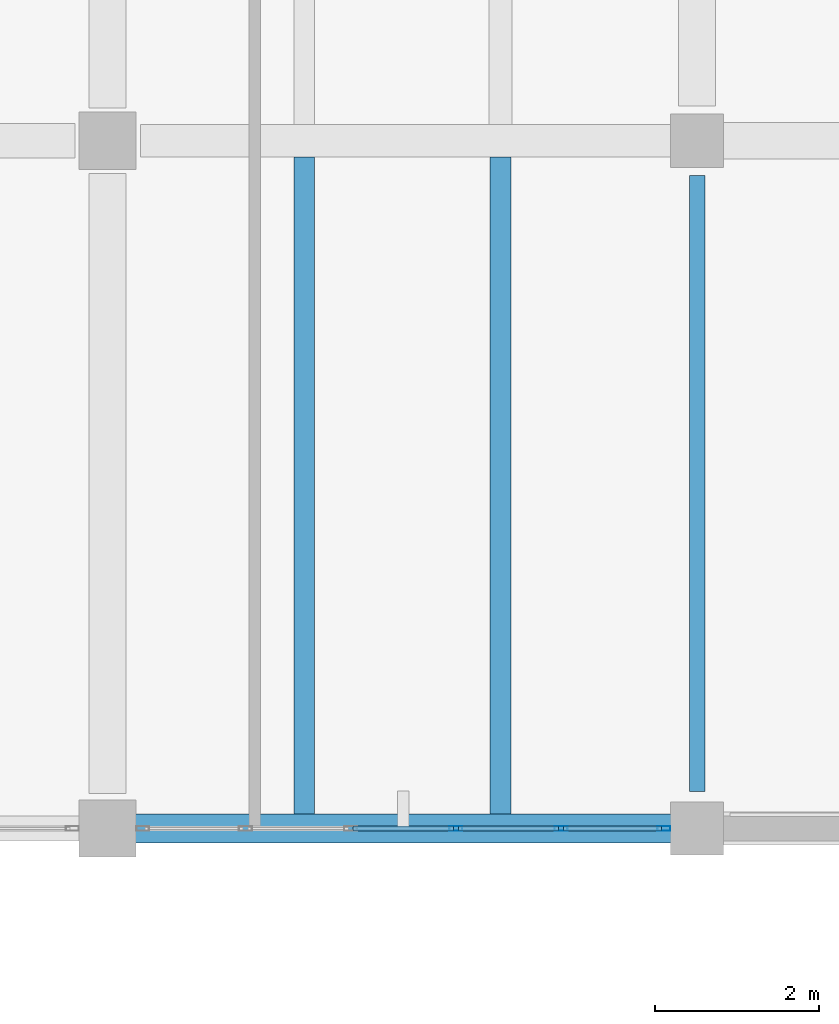
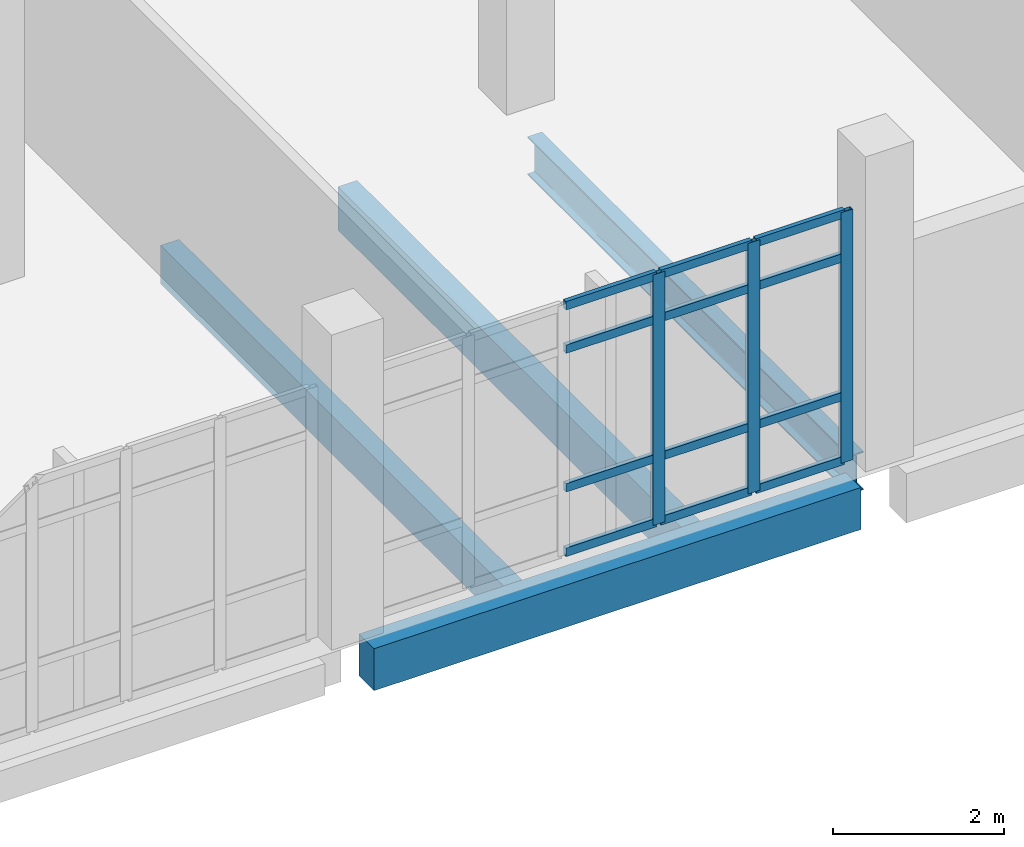
# One storey, part 70 of 116: 15 members, 4 beams, 1 element without a shape of its own.
"""IFC4 building model written with IfcOpenShell, lengths in metres."""

from ifc_helpers import new_model, si_unit, direction, frame, origin, origin_2d, place, context, subcontext, project, spatial, rectangle, hollow_rectangle, i_section, extrude, material, material_profile, profile_set, type_object, element, aggregate, save


model = new_model("IFC4")

# Units and contexts
model_context = context("Model", 3, precision=1e-05, world=origin(), true_north=direction((0.0, 1.0)))
body_context = subcontext(model_context, "Body", "Model", "MODEL_VIEW")
ifc_project = project(units=[si_unit("LENGTHUNIT", "METRE"), si_unit("AREAUNIT", "SQUARE_METRE"), si_unit("VOLUMEUNIT", "CUBIC_METRE"), si_unit("PLANEANGLEUNIT", "RADIAN"), si_unit("MASSUNIT", "GRAM", prefix="KILO")], contexts=[model_context])

# Site, building, storey
site_placement = place(None, origin())
site = spatial("IfcSite", under=ifc_project, at=site_placement, CompositionType="ELEMENT")
building_placement = place(site_placement, origin())
building = spatial("IfcBuilding", under=site, at=building_placement, Name="Kalluvel Institute of Natural Sciences", CompositionType="ELEMENT")
storey_placement = place(building_placement, frame((0.0, 0.0, 14.39990234375)))
storey = spatial("IfcBuildingStorey", under=building, at=storey_placement, Name="L03", CompositionType="ELEMENT", Elevation=14.39990234375)

# Beam
ifc_material_1 = material(Name="Steel E350 Grade 350", Category="steel")
ifc_material_profile_1 = material_profile(ifc_material_1, i_section(OverallWidth=0.18994140625, OverallDepth=0.550048828125, WebThickness=0.01123046875, FlangeThickness=0.019287109375, FilletRadius=0.01806640625, at=origin_2d()), Name="ISMB 550")
ifc_profile_set_1 = profile_set([ifc_material_profile_1], Name="Steel E350 Grade 350")
beam_type_1 = type_object("IfcBeamType", Name="BM-ISMB550", PredefinedType="BEAM", material=ifc_profile_set_1)
beam_1_placement = place(storey_placement, frame((100.39990234375, 103.25, -0.594970703125), z_axis=(0.0, 1.0, 0.0), x_axis=(-1.0, 0.0, 0.0)))
element("IfcBeam", 1, at=beam_1_placement, inside=storey, type_object=beam_type_1, Name="L03 girder GIR-L03-NS-X1004-Y1028", PredefinedType="BEAM", context=body_context, shape_type="SweptSolid", body=[
    extrude(i_section(OverallWidth=0.18994140625, OverallDepth=0.550048828125, WebThickness=0.01123046875, FlangeThickness=0.019287109375, FilletRadius=0.01806640625, at=origin_2d()), origin(), (0.0, 0.0, 1.0), 7.52490234375),
])

# Curtain wall, members
ifc_material_2 = material(Name="Aluminium AW-6063 T6", Category="aluminium")
curtain_wall_type = type_object("IfcCurtainWallType", Name="CW-WET-45", PredefinedType="USERDEFINED", material=ifc_material_2)
curtain_wall_placement = place(storey_placement, origin())
curtain_wall = element("IfcCurtainWall", 2, at=curtain_wall_placement, inside=storey, type_object=curtain_wall_type, Name="L03 Gothic lancet curtain wall CWA-L03-X936-Y1028", ObjectType="UNITISED LANCET FACADE", PredefinedType="USERDEFINED")
ifc_material_profile_2 = material_profile(ifc_material_2, hollow_rectangle(XDim=0.06005859375, YDim=0.159912109375, WallThickness=0.00390625, at=origin_2d()), Name="CWM 60x160")
ifc_profile_set_2 = profile_set([ifc_material_profile_2], Name="Aluminium AW-6063 T6")
member_type_1 = type_object("IfcMemberType", Name="CWM-60x160", PredefinedType="MULLION", material=ifc_profile_set_2)
member_1_placement = place(storey_placement, frame((97.455078125, 102.800048828125, 0.0), z_axis=(0.0, 0.0, 1.0), x_axis=(0.0, 1.0, 0.0)))
member_1 = element("IfcMember", 3, at=member_1_placement, type_object=member_type_1, Name="CW-01 mullion 4", PredefinedType="MULLION", context=body_context, shape_type="SweptSolid", body=[
    extrude(hollow_rectangle(XDim=0.06005859375, YDim=0.159912109375, WallThickness=0.00390625, at=origin_2d()), origin(), (0.0, 0.0, 1.0), 3.580078125),
])
member_2_placement = place(storey_placement, frame((98.739990234375, 102.800048828125, 0.0), z_axis=(0.0, 0.0, 1.0), x_axis=(0.0, 1.0, 0.0)))
member_2 = element("IfcMember", 4, at=member_2_placement, type_object=member_type_1, Name="CW-01 mullion 5", PredefinedType="MULLION", context=body_context, shape_type="SweptSolid", body=[
    extrude(hollow_rectangle(XDim=0.06005859375, YDim=0.159912109375, WallThickness=0.00390625, at=origin_2d()), origin(), (0.0, 0.0, 1.0), 3.580078125),
])
member_3_placement = place(storey_placement, frame((99.9951171875, 102.800048828125, 0.0), z_axis=(0.0, 0.0, 1.0), x_axis=(0.0, 1.0, 0.0)))
member_3 = element("IfcMember", 5, at=member_3_placement, type_object=member_type_1, Name="CW-01 mullion 6", PredefinedType="MULLION", context=body_context, shape_type="SweptSolid", body=[
    extrude(hollow_rectangle(XDim=0.06005859375, YDim=0.159912109375, WallThickness=0.00390625, at=origin_2d()), origin(), (0.0, 0.0, 1.0), 3.580078125),
])
ifc_material_profile_3 = material_profile(ifc_material_2, hollow_rectangle(XDim=0.06005859375, YDim=0.1201171875, WallThickness=0.00390625, at=origin_2d()), Name="CWT 60x120")
ifc_profile_set_3 = profile_set([ifc_material_profile_3], Name="Aluminium AW-6063 T6")
member_type_2 = type_object("IfcMemberType", Name="CWT-60x120", PredefinedType="USERDEFINED", material=ifc_profile_set_3)
member_4_placement = place(storey_placement, frame((96.199951171875, 102.800048828125, 0.030029296875), z_axis=(1.0, 0.0, 0.0), x_axis=(0.0, 1.0, 0.0)))
member_4 = element("IfcMember", 6, at=member_4_placement, type_object=member_type_2, Name="CW-01 transom 3.1", ObjectType="TRANSOM", PredefinedType="USERDEFINED", context=body_context, shape_type="SweptSolid", body=[
    extrude(hollow_rectangle(XDim=0.06005859375, YDim=0.1201171875, WallThickness=0.00390625, at=origin_2d()), origin(), (0.0, 0.0, 1.0), 1.22509765625),
])
member_5_placement = place(storey_placement, frame((96.199951171875, 102.800048828125, 0.9501953125), z_axis=(1.0, 0.0, 0.0), x_axis=(0.0, 1.0, 0.0)))
member_5 = element("IfcMember", 7, at=member_5_placement, type_object=member_type_2, Name="CW-01 transom 3.2", ObjectType="TRANSOM", PredefinedType="USERDEFINED", context=body_context, shape_type="SweptSolid", body=[
    extrude(hollow_rectangle(XDim=0.06005859375, YDim=0.1201171875, WallThickness=0.00390625, at=origin_2d()), origin(), (0.0, 0.0, 1.0), 1.22509765625),
])
member_6_placement = place(storey_placement, frame((96.199951171875, 102.800048828125, 2.93017578125), z_axis=(1.0, 0.0, 0.0), x_axis=(0.0, 1.0, 0.0)))
member_6 = element("IfcMember", 8, at=member_6_placement, type_object=member_type_2, Name="CW-01 transom 3.3", ObjectType="TRANSOM", PredefinedType="USERDEFINED", context=body_context, shape_type="SweptSolid", body=[
    extrude(hollow_rectangle(XDim=0.06005859375, YDim=0.1201171875, WallThickness=0.00390625, at=origin_2d()), origin(), (0.0, 0.0, 1.0), 1.22509765625),
])
member_7_placement = place(storey_placement, frame((96.199951171875, 102.800048828125, 3.550048828125), z_axis=(1.0, 0.0, 0.0), x_axis=(0.0, 1.0, 0.0)))
member_7 = element("IfcMember", 9, at=member_7_placement, type_object=member_type_2, Name="CW-01 transom 3.4", ObjectType="TRANSOM", PredefinedType="USERDEFINED", context=body_context, shape_type="SweptSolid", body=[
    extrude(hollow_rectangle(XDim=0.06005859375, YDim=0.1201171875, WallThickness=0.00390625, at=origin_2d()), origin(), (0.0, 0.0, 1.0), 1.22509765625),
])
member_8_placement = place(storey_placement, frame((97.485107421875, 102.800048828125, 0.030029296875), z_axis=(1.0, 0.0, 0.0), x_axis=(0.0, 1.0, 0.0)))
member_8 = element("IfcMember", 10, at=member_8_placement, type_object=member_type_2, Name="CW-01 transom 4.1", ObjectType="TRANSOM", PredefinedType="USERDEFINED", context=body_context, shape_type="SweptSolid", body=[
    extrude(hollow_rectangle(XDim=0.06005859375, YDim=0.1201171875, WallThickness=0.00390625, at=origin_2d()), origin(), (0.0, 0.0, 1.0), 1.224853515625),
])
member_9_placement = place(storey_placement, frame((97.485107421875, 102.800048828125, 0.9501953125), z_axis=(1.0, 0.0, 0.0), x_axis=(0.0, 1.0, 0.0)))
member_9 = element("IfcMember", 11, at=member_9_placement, type_object=member_type_2, Name="CW-01 transom 4.2", ObjectType="TRANSOM", PredefinedType="USERDEFINED", context=body_context, shape_type="SweptSolid", body=[
    extrude(hollow_rectangle(XDim=0.06005859375, YDim=0.1201171875, WallThickness=0.00390625, at=origin_2d()), origin(), (0.0, 0.0, 1.0), 1.224853515625),
])
member_10_placement = place(storey_placement, frame((97.485107421875, 102.800048828125, 2.93017578125), z_axis=(1.0, 0.0, 0.0), x_axis=(0.0, 1.0, 0.0)))
member_10 = element("IfcMember", 12, at=member_10_placement, type_object=member_type_2, Name="CW-01 transom 4.3", ObjectType="TRANSOM", PredefinedType="USERDEFINED", context=body_context, shape_type="SweptSolid", body=[
    extrude(hollow_rectangle(XDim=0.06005859375, YDim=0.1201171875, WallThickness=0.00390625, at=origin_2d()), origin(), (0.0, 0.0, 1.0), 1.224853515625),
])
member_11_placement = place(storey_placement, frame((97.485107421875, 102.800048828125, 3.550048828125), z_axis=(1.0, 0.0, 0.0), x_axis=(0.0, 1.0, 0.0)))
member_11 = element("IfcMember", 13, at=member_11_placement, type_object=member_type_2, Name="CW-01 transom 4.4", ObjectType="TRANSOM", PredefinedType="USERDEFINED", context=body_context, shape_type="SweptSolid", body=[
    extrude(hollow_rectangle(XDim=0.06005859375, YDim=0.1201171875, WallThickness=0.00390625, at=origin_2d()), origin(), (0.0, 0.0, 1.0), 1.224853515625),
])
member_12_placement = place(storey_placement, frame((98.77001953125, 102.800048828125, 0.030029296875), z_axis=(1.0, 0.0, 0.0), x_axis=(0.0, 1.0, 0.0)))
member_12 = element("IfcMember", 14, at=member_12_placement, type_object=member_type_2, Name="CW-01 transom 5.1", ObjectType="TRANSOM", PredefinedType="USERDEFINED", context=body_context, shape_type="SweptSolid", body=[
    extrude(hollow_rectangle(XDim=0.06005859375, YDim=0.1201171875, WallThickness=0.00390625, at=origin_2d()), origin(), (0.0, 0.0, 1.0), 1.195068359375),
])
member_13_placement = place(storey_placement, frame((98.77001953125, 102.800048828125, 0.9501953125), z_axis=(1.0, 0.0, 0.0), x_axis=(0.0, 1.0, 0.0)))
member_13 = element("IfcMember", 15, at=member_13_placement, type_object=member_type_2, Name="CW-01 transom 5.2", ObjectType="TRANSOM", PredefinedType="USERDEFINED", context=body_context, shape_type="SweptSolid", body=[
    extrude(hollow_rectangle(XDim=0.06005859375, YDim=0.1201171875, WallThickness=0.00390625, at=origin_2d()), origin(), (0.0, 0.0, 1.0), 1.195068359375),
])
member_14_placement = place(storey_placement, frame((98.77001953125, 102.800048828125, 2.93017578125), z_axis=(1.0, 0.0, 0.0), x_axis=(0.0, 1.0, 0.0)))
member_14 = element("IfcMember", 16, at=member_14_placement, type_object=member_type_2, Name="CW-01 transom 5.3", ObjectType="TRANSOM", PredefinedType="USERDEFINED", context=body_context, shape_type="SweptSolid", body=[
    extrude(hollow_rectangle(XDim=0.06005859375, YDim=0.1201171875, WallThickness=0.00390625, at=origin_2d()), origin(), (0.0, 0.0, 1.0), 1.195068359375),
])
member_15_placement = place(storey_placement, frame((98.77001953125, 102.800048828125, 3.550048828125), z_axis=(1.0, 0.0, 0.0), x_axis=(0.0, 1.0, 0.0)))
member_15 = element("IfcMember", 17, at=member_15_placement, type_object=member_type_2, Name="CW-01 transom 5.4", ObjectType="TRANSOM", PredefinedType="USERDEFINED", context=body_context, shape_type="SweptSolid", body=[
    extrude(hollow_rectangle(XDim=0.06005859375, YDim=0.1201171875, WallThickness=0.00390625, at=origin_2d()), origin(), (0.0, 0.0, 1.0), 1.195068359375),
])
aggregate(curtain_wall, [member_1, member_2, member_3, member_4, member_5, member_6, member_7, member_8, member_9, member_10, member_11, member_12, member_13, member_14, member_15])

# Beams
ifc_material_3 = material(Name="Concrete M40", Category="concrete")
ifc_material_profile_4 = material_profile(ifc_material_3, rectangle(XDim=0.35009765625, YDim=0.60009765625, at=origin_2d()), Name="RCB 350x600")
ifc_profile_set_4 = profile_set([ifc_material_profile_4], Name="Concrete M40")
beam_type_2 = type_object("IfcBeamType", Name="SP-RC350x600", PredefinedType="SPANDREL", material=ifc_profile_set_4)
beam_2_placement = place(storey_placement, frame((93.52490234375, 102.800048828125, -0.619873046875), z_axis=(1.0, 0.0, 0.0), x_axis=(0.0, 1.0, 0.0)))
element("IfcBeam", 18, at=beam_2_placement, inside=storey, type_object=beam_type_2, Name="L03 girder GIR-L03-EW-X932-Y1028", PredefinedType="SPANDREL", context=body_context, shape_type="SweptSolid", body=[
    extrude(rectangle(XDim=0.35009765625, YDim=0.60009765625, at=origin_2d()), origin(), (0.0, 0.0, 1.0), 6.5751953125),
])
ifc_material_profile_5 = material_profile(ifc_material_3, rectangle(XDim=0.25, YDim=0.550048828125, at=origin_2d()), Name="WAF 250x550")
ifc_profile_set_5 = profile_set([ifc_material_profile_5], Name="Concrete M40")
beam_type_3 = type_object("IfcBeamType", Name="WJ-250x550", PredefinedType="JOIST", material=ifc_profile_set_5)
beam_3_placement = place(storey_placement, frame((95.60009765625, 102.97509765625, -0.594970703125), z_axis=(0.0, 1.0, 0.0), x_axis=(-1.0, 0.0, 0.0)))
element("IfcBeam", 19, at=beam_3_placement, inside=storey, type_object=beam_type_3, Name="L03 waffle joist RIB-L03-0275", PredefinedType="JOIST", context=body_context, shape_type="SweptSolid", body=[
    extrude(rectangle(XDim=0.25, YDim=0.550048828125, at=origin_2d()), origin(), (0.0, 0.0, 1.0), 8.02490234375),
])
ifc_material_4 = material(Name="Concrete M50", Category="concrete")
ifc_material_profile_6 = material_profile(ifc_material_4, rectangle(XDim=0.260009765625, YDim=0.6201171875, at=origin_2d()), Name="WAF 260x620")
ifc_profile_set_6 = profile_set([ifc_material_profile_6], Name="Concrete M50")
beam_type_4 = type_object("IfcBeamType", Name="WJ-260x620", PredefinedType="JOIST", material=ifc_profile_set_6)
beam_4_placement = place(storey_placement, frame((98.0, 102.97509765625, -0.6298828125), z_axis=(0.0, 1.0, 0.0), x_axis=(-1.0, 0.0, 0.0)))
element("IfcBeam", 20, at=beam_4_placement, inside=storey, type_object=beam_type_4, Name="L03 waffle joist RIB-L03-0276", PredefinedType="JOIST", context=body_context, shape_type="SweptSolid", body=[
    extrude(rectangle(XDim=0.260009765625, YDim=0.6201171875, at=origin_2d()), origin(), (0.0, 0.0, 1.0), 8.02490234375),
])

save(model, "model.ifc")
